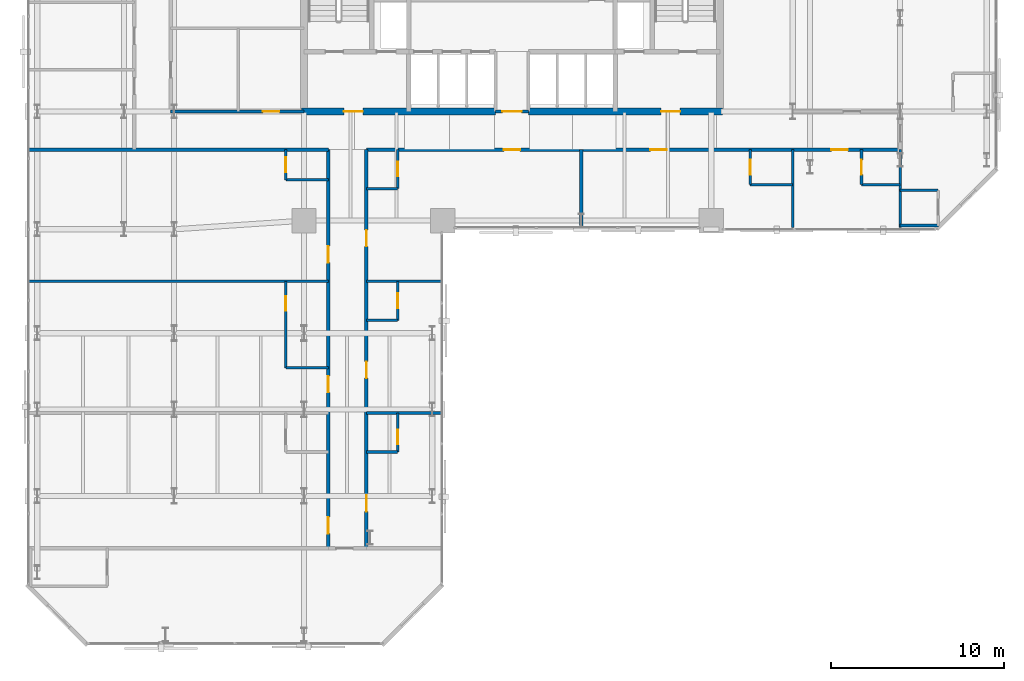
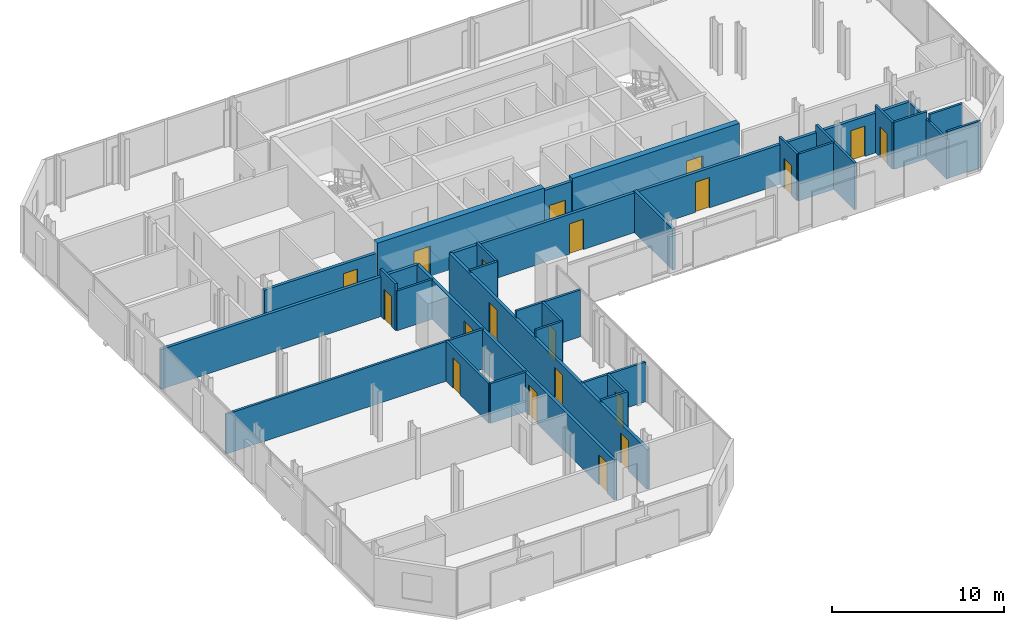
# One storey, part 29 of 33: 30 walls, 20 doors, 20 openings.
"""IFC4 building model written with IfcOpenShell, lengths in metres."""

from ifc_helpers import new_model, si_unit, direction, frame, frame_2d, origin, place, context, subcontext, project, spatial, rectangle, extrude, material, layer, layer_set, type_object, element, fill, save


model = new_model("IFC4")

# Units and contexts
model_context = context("Model", 3, precision=1e-05, world=origin(), true_north=direction((0.0, 1.0)))
body_context = subcontext(model_context, "Body", "Model", "MODEL_VIEW")
ifc_project = project(units=[si_unit("LENGTHUNIT", "METRE"), si_unit("AREAUNIT", "SQUARE_METRE"), si_unit("VOLUMEUNIT", "CUBIC_METRE"), si_unit("PLANEANGLEUNIT", "RADIAN"), si_unit("MASSUNIT", "GRAM", prefix="KILO")], contexts=[model_context])

# Site, building, storey
site_placement = place(None, origin())
site = spatial("IfcSite", under=ifc_project, at=site_placement, CompositionType="ELEMENT")
building_placement = place(site_placement, origin())
building = spatial("IfcBuilding", under=site, at=building_placement, Name="Catumbela Crestline Tower", CompositionType="ELEMENT")
storey_placement = place(building_placement, frame((0.0, 0.0, 43.8)))
storey = spatial("IfcBuildingStorey", under=building, at=storey_placement, Name="L10", CompositionType="ELEMENT", Elevation=43.8)

# Wall, opening, door
ifc_material_1 = material(Name="Concrete C60/75", Category="concrete")
ifc_layer_1 = layer(ifc_material_1, 0.4, Name="Concrete C60/75")
ifc_layer_set_1 = layer_set([ifc_layer_1], Name="Concrete C60/75")
wall_type_1 = type_object("IfcWallType", Name="CW-400A", PredefinedType="SHEAR", material=ifc_layer_set_1)
wall_1_placement = place(storey_placement, frame((15.85, 30.8, 0.0), z_axis=(0.0, 0.0, 1.0), x_axis=(1.0, 0.0, 0.0)))
wall_1 = element("IfcWall", 1, at=wall_1_placement, inside=storey, type_object=wall_type_1, Name="L10 Structural Core Shear Wall SW", PredefinedType="SHEAR", context=body_context, shape_type="SweptSolid", body=[
    extrude(rectangle(XDim=11.2, YDim=0.4, at=frame_2d((5.6, 0.0))), origin(), (0.0, 0.0, 1.0), 3.6),
])
opening_1_placement = place(wall_1_placement, frame((2.45, 0.0, 0.0)))
opening_1 = element("IfcOpeningElement", 2, at=opening_1_placement, cuts=wall_1, Name="Opening DF9-110", PredefinedType="OPENING", context=body_context, shape_type="SweptSolid", body=[
    extrude(rectangle(XDim=1.1, YDim=2.15, at=frame_2d((0.55, 1.075))), frame((0.0, 0.21, 0.0), z_axis=(0.0, -1.0, 0.0), x_axis=(1.0, 0.0, 0.0)), (0.0, 0.0, 1.0), 0.42),
])
ifc_material_2 = material(Name="Stainless steel EN 1.4401", Category="steel")
door_type_1 = type_object("IfcDoorType", Name="DF9-110", OperationType="NOTDEFINED", PredefinedType="DOOR", material=ifc_material_2)
door_1_placement = place(opening_1_placement, origin())
door_1 = element("IfcDoor", 3, at=door_1_placement, inside=storey, type_object=door_type_1, Name="L10 Interior Door DR-L10-FFW-S", OperationType="SINGLE_SWING_LEFT", OverallHeight=2.15, OverallWidth=1.1, PredefinedType="DOOR", context=body_context, shape_type="SweptSolid", body=[
    extrude(rectangle(XDim=1.1, YDim=2.15, at=frame_2d((0.55, 1.075))), frame((0.0, 0.025, 0.0), z_axis=(0.0, -1.0, 0.0), x_axis=(1.0, 0.0, 0.0)), (0.0, 0.0, 1.0), 0.05),
])
fill(opening_1, door_1)

wall_2_placement = place(storey_placement, frame((28.95, 30.8, 0.0), z_axis=(0.0, 0.0, 1.0), x_axis=(1.0, 0.0, 0.0)))
wall_2 = element("IfcWall", 4, at=wall_2_placement, inside=storey, type_object=wall_type_1, Name="L10 Structural Core Shear Wall SE", PredefinedType="SHEAR", context=body_context, shape_type="SweptSolid", body=[
    extrude(rectangle(XDim=11.2, YDim=0.4, at=frame_2d((5.6, 0.0))), origin(), (0.0, 0.0, 1.0), 3.6),
])
opening_2_placement = place(wall_2_placement, frame((7.65, 0.0, 0.0)))
opening_2 = element("IfcOpeningElement", 5, at=opening_2_placement, cuts=wall_2, Name="Opening DF9-110", PredefinedType="OPENING", context=body_context, shape_type="SweptSolid", body=[
    extrude(rectangle(XDim=1.1, YDim=2.15, at=frame_2d((0.55, 1.075))), frame((0.0, 0.21, 0.0), z_axis=(0.0, -1.0, 0.0), x_axis=(1.0, 0.0, 0.0)), (0.0, 0.0, 1.0), 0.42),
])
door_2_placement = place(opening_2_placement, origin())
door_2 = element("IfcDoor", 6, at=door_2_placement, inside=storey, type_object=door_type_1, Name="L10 Interior Door DR-L10-FFE-S", OperationType="SINGLE_SWING_RIGHT", OverallHeight=2.15, OverallWidth=1.1, PredefinedType="DOOR", context=body_context, shape_type="SweptSolid", body=[
    extrude(rectangle(XDim=1.1, YDim=2.15, at=frame_2d((0.55, 1.075))), frame((0.0, 0.025, 0.0), z_axis=(0.0, -1.0, 0.0), x_axis=(1.0, 0.0, 0.0)), (0.0, 0.0, 1.0), 0.05),
])
fill(opening_2, door_2)

ifc_material_3 = material(Name="Acoustic gypsum and mineral-wool partition")
ifc_layer_2 = layer(ifc_material_3, 0.2, Name="Acoustic gypsum and mineral-wool partition")
ifc_layer_set_2 = layer_set([ifc_layer_2], Name="Acoustic gypsum and mineral-wool partition")
wall_type_2 = type_object("IfcWallType", Name="WC-200", PredefinedType="PARTITIONING", material=ifc_layer_set_2)
wall_3_placement = place(storey_placement, frame((27.05, 30.8, 0.0), z_axis=(0.0, 0.0, 1.0), x_axis=(1.0, 0.0, 0.0)))
wall_3 = element("IfcWall", 7, at=wall_3_placement, inside=storey, type_object=wall_type_2, Name="L10 Interior Partition PW-L10-CLOBS", PredefinedType="PARTITIONING", context=body_context, shape_type="SweptSolid", body=[
    extrude(rectangle(XDim=1.9, YDim=0.2, at=frame_2d((0.95, 0.0))), origin(), (0.0, 0.0, 1.0), 3.33),
])
opening_3_placement = place(wall_3_placement, frame((0.4, 0.0, 0.0)))
opening_3 = element("IfcOpeningElement", 8, at=opening_3_placement, cuts=wall_3, Name="Opening DF9-110", PredefinedType="OPENING", context=body_context, shape_type="SweptSolid", body=[
    extrude(rectangle(XDim=1.1, YDim=2.15, at=frame_2d((0.55, 1.075))), frame((0.0, 0.11, 0.0), z_axis=(0.0, -1.0, 0.0), x_axis=(1.0, 0.0, 0.0)), (0.0, 0.0, 1.0), 0.22),
])
door_3_placement = place(opening_3_placement, origin())
door_3 = element("IfcDoor", 9, at=door_3_placement, inside=storey, type_object=door_type_1, Name="L10 Interior Door DR-L10-CLOBS", OperationType="SINGLE_SWING_LEFT", OverallHeight=2.15, OverallWidth=1.1, PredefinedType="DOOR", context=body_context, shape_type="SweptSolid", body=[
    extrude(rectangle(XDim=1.1, YDim=2.15, at=frame_2d((0.55, 1.075))), frame((0.0, 0.025, 0.0), z_axis=(0.0, -1.0, 0.0), x_axis=(1.0, 0.0, 0.0)), (0.0, 0.0, 1.0), 0.05),
])
fill(opening_3, door_3)

# Wall
wall_4_placement = place(storey_placement, frame((0.1, 28.6, 0.0), z_axis=(0.0, 0.0, 1.0), x_axis=(1.0, 0.0, 0.0)))
element("IfcWall", 10, at=wall_4_placement, inside=storey, type_object=wall_type_2, Name="L10 Interior Partition PW-L10-CWGL-N", PredefinedType="PARTITIONING", context=body_context, shape_type="SweptSolid", body=[
    extrude(rectangle(XDim=17.3, YDim=0.2, at=frame_2d((8.65, 0.0))), origin(), (0.0, 0.0, 1.0), 2.82),
])

# Wall, openings, doors
wall_5_placement = place(storey_placement, frame((19.6, 28.6, 0.0), z_axis=(0.0, 0.0, 1.0), x_axis=(1.0, 0.0, 0.0)))
wall_5 = element("IfcWall", 11, at=wall_5_placement, inside=storey, type_object=wall_type_2, Name="L10 Interior Partition PW-L10-CWGR-N", PredefinedType="PARTITIONING", context=body_context, shape_type="SweptSolid", body=[
    extrude(rectangle(XDim=30.8, YDim=0.2, at=frame_2d((15.4, 0.0))), origin(), (0.0, 0.0, 1.0), 2.82),
])
opening_4_placement = place(wall_5_placement, frame((7.925, 0.0, 0.0)))
opening_4 = element("IfcOpeningElement", 12, at=opening_4_placement, cuts=wall_5, Name="Opening DF6-095", PredefinedType="OPENING", context=body_context, shape_type="SweptSolid", body=[
    extrude(rectangle(XDim=0.95, YDim=2.15, at=frame_2d((0.475, 1.075))), frame((0.0, 0.11, 0.0), z_axis=(0.0, -1.0, 0.0), x_axis=(1.0, 0.0, 0.0)), (0.0, 0.0, 1.0), 0.22),
])
opening_5_placement = place(wall_5_placement, frame((16.39, 0.0, 0.0)))
opening_5 = element("IfcOpeningElement", 13, at=opening_5_placement, cuts=wall_5, Name="Opening DF6-095", PredefinedType="OPENING", context=body_context, shape_type="SweptSolid", body=[
    extrude(rectangle(XDim=0.95, YDim=2.15, at=frame_2d((0.475, 1.075))), frame((0.0, 0.11, 0.0), z_axis=(0.0, -1.0, 0.0), x_axis=(1.0, 0.0, 0.0)), (0.0, 0.0, 1.0), 0.22),
])
opening_6_placement = place(wall_5_placement, frame((26.8354, 0.0, 0.0)))
opening_6 = element("IfcOpeningElement", 14, at=opening_6_placement, cuts=wall_5, Name="Opening DF6-095", PredefinedType="OPENING", context=body_context, shape_type="SweptSolid", body=[
    extrude(rectangle(XDim=0.95, YDim=2.15, at=frame_2d((0.475, 1.075))), frame((0.0, 0.11, 0.0), z_axis=(0.0, -1.0, 0.0), x_axis=(1.0, 0.0, 0.0)), (0.0, 0.0, 1.0), 0.22),
])
ifc_material_4 = material(Name="Aluminium alloy AW-6060-T66", Category="aluminium")
door_type_2 = type_object("IfcDoorType", Name="DF6-095", OperationType="NOTDEFINED", PredefinedType="DOOR", material=ifc_material_4)
door_4_placement = place(opening_4_placement, origin())
door_4 = element("IfcDoor", 15, at=door_4_placement, inside=storey, type_object=door_type_2, Name="L10 Interior Door DR-L10-CLBL-ENT", OperationType="SINGLE_SWING_RIGHT", OverallHeight=2.15, OverallWidth=0.95, PredefinedType="DOOR", context=body_context, shape_type="SweptSolid", body=[
    extrude(rectangle(XDim=0.95, YDim=2.15, at=frame_2d((0.475, 1.075))), frame((0.0, 0.025, 0.0), z_axis=(0.0, -1.0, 0.0), x_axis=(1.0, 0.0, 0.0)), (0.0, 0.0, 1.0), 0.05),
])
fill(opening_4, door_4)
door_5_placement = place(opening_5_placement, origin())
door_5 = element("IfcDoor", 16, at=door_5_placement, inside=storey, type_object=door_type_2, Name="L10 Interior Door DR-L10-K2-ENT", OperationType="SINGLE_SWING_RIGHT", OverallHeight=2.15, OverallWidth=0.95, PredefinedType="DOOR", context=body_context, shape_type="SweptSolid", body=[
    extrude(rectangle(XDim=0.95, YDim=2.15, at=frame_2d((0.475, 1.075))), frame((0.0, 0.025, 0.0), z_axis=(0.0, -1.0, 0.0), x_axis=(1.0, 0.0, 0.0)), (0.0, 0.0, 1.0), 0.05),
])
fill(opening_5, door_5)
door_6_placement = place(opening_6_placement, origin())
door_6 = element("IfcDoor", 17, at=door_6_placement, inside=storey, type_object=door_type_2, Name="L10 Interior Door DR-L10-K3-ENT", OperationType="SINGLE_SWING_LEFT", OverallHeight=2.15, OverallWidth=0.95, PredefinedType="DOOR", context=body_context, shape_type="SweptSolid", body=[
    extrude(rectangle(XDim=0.95, YDim=2.15, at=frame_2d((0.475, 1.075))), frame((0.0, 0.025, 0.0), z_axis=(0.0, -1.0, 0.0), x_axis=(1.0, 0.0, 0.0)), (0.0, 0.0, 1.0), 0.05),
])
fill(opening_6, door_6)

# Wall, opening, door
wall_6_placement = place(storey_placement, frame((8.3, 30.8, 0.0), z_axis=(0.0, 0.0, 1.0), x_axis=(1.0, 0.0, 0.0)))
wall_6 = element("IfcWall", 18, at=wall_6_placement, inside=storey, type_object=wall_type_2, Name="L10 Interior Partition PW-L10-HK-S", PredefinedType="PARTITIONING", context=body_context, shape_type="SweptSolid", body=[
    extrude(rectangle(XDim=7.7, YDim=0.2, at=frame_2d((3.85, 0.0))), origin(), (0.0, 0.0, 1.0), 2.82),
])
opening_7_placement = place(wall_6_placement, frame((5.325, 0.0, 0.0)))
opening_7 = element("IfcOpeningElement", 19, at=opening_7_placement, cuts=wall_6, Name="Opening DF6-095", PredefinedType="OPENING", context=body_context, shape_type="SweptSolid", body=[
    extrude(rectangle(XDim=0.95, YDim=2.15, at=frame_2d((0.475, 1.075))), frame((0.0, 0.11, 0.0), z_axis=(0.0, -1.0, 0.0), x_axis=(1.0, 0.0, 0.0)), (0.0, 0.0, 1.0), 0.22),
])
door_7_placement = place(opening_7_placement, origin())
door_7 = element("IfcDoor", 20, at=door_7_placement, inside=storey, type_object=door_type_2, Name="L10 Interior Door DR-L10-HKP", OperationType="SINGLE_SWING_LEFT", OverallHeight=2.15, OverallWidth=0.95, PredefinedType="DOOR", context=body_context, shape_type="SweptSolid", body=[
    extrude(rectangle(XDim=0.95, YDim=2.15, at=frame_2d((0.475, 1.075))), frame((0.0, 0.025, 0.0), z_axis=(0.0, -1.0, 0.0), x_axis=(1.0, 0.0, 0.0)), (0.0, 0.0, 1.0), 0.05),
])
fill(opening_7, door_7)

# Wall, openings, doors
wall_7_placement = place(storey_placement, frame((17.4, 5.6, 0.0), z_axis=(0.0, 0.0, 1.0), x_axis=(0.0, 1.0, 0.0)))
wall_7 = element("IfcWall", 21, at=wall_7_placement, inside=storey, type_object=wall_type_2, Name="L10 Interior Partition PW-L10-WL1-ENT", PredefinedType="PARTITIONING", context=body_context, shape_type="SweptSolid", body=[
    extrude(rectangle(XDim=23.0, YDim=0.2, at=frame_2d((11.5, 0.0))), origin(), (0.0, 0.0, 1.0), 2.82),
])
opening_8_placement = place(wall_7_placement, frame((0.84, 0.0, 0.0)))
opening_8 = element("IfcOpeningElement", 22, at=opening_8_placement, cuts=wall_7, Name="Opening DF6-095", PredefinedType="OPENING", context=body_context, shape_type="SweptSolid", body=[
    extrude(rectangle(XDim=0.95, YDim=2.15, at=frame_2d((0.475, 1.075))), frame((0.0, 0.11, 0.0), z_axis=(0.0, -1.0, 0.0), x_axis=(1.0, 0.0, 0.0)), (0.0, 0.0, 1.0), 0.22),
])
opening_9_placement = place(wall_7_placement, frame((8.9831, 0.0, 0.0)))
opening_9 = element("IfcOpeningElement", 23, at=opening_9_placement, cuts=wall_7, Name="Opening DF6-095", PredefinedType="OPENING", context=body_context, shape_type="SweptSolid", body=[
    extrude(rectangle(XDim=0.95, YDim=2.15, at=frame_2d((0.475, 1.075))), frame((0.0, 0.11, 0.0), z_axis=(0.0, -1.0, 0.0), x_axis=(1.0, 0.0, 0.0)), (0.0, 0.0, 1.0), 0.22),
])
opening_10_placement = place(wall_7_placement, frame((16.476, 0.0, 0.0)))
opening_10 = element("IfcOpeningElement", 24, at=opening_10_placement, cuts=wall_7, Name="Opening DF6-095", PredefinedType="OPENING", context=body_context, shape_type="SweptSolid", body=[
    extrude(rectangle(XDim=0.95, YDim=2.15, at=frame_2d((0.475, 1.075))), frame((0.0, 0.11, 0.0), z_axis=(0.0, -1.0, 0.0), x_axis=(1.0, 0.0, 0.0)), (0.0, 0.0, 1.0), 0.22),
])
door_8_placement = place(opening_8_placement, origin())
door_8 = element("IfcDoor", 25, at=door_8_placement, inside=storey, type_object=door_type_2, Name="L10 Interior Door DR-L10-WL1-ENT", OperationType="SINGLE_SWING_LEFT", OverallHeight=2.15, OverallWidth=0.95, PredefinedType="DOOR", context=body_context, shape_type="SweptSolid", body=[
    extrude(rectangle(XDim=0.95, YDim=2.15, at=frame_2d((0.475, 1.075))), frame((0.0, 0.025, 0.0), z_axis=(0.0, -1.0, 0.0), x_axis=(1.0, 0.0, 0.0)), (0.0, 0.0, 1.0), 0.05),
])
fill(opening_8, door_8)
door_9_placement = place(opening_9_placement, origin())
door_9 = element("IfcDoor", 26, at=door_9_placement, inside=storey, type_object=door_type_2, Name="L10 Interior Door DR-L10-WL2-ENT", OperationType="SINGLE_SWING_RIGHT", OverallHeight=2.15, OverallWidth=0.95, PredefinedType="DOOR", context=body_context, shape_type="SweptSolid", body=[
    extrude(rectangle(XDim=0.95, YDim=2.15, at=frame_2d((0.475, 1.075))), frame((0.0, 0.025, 0.0), z_axis=(0.0, -1.0, 0.0), x_axis=(1.0, 0.0, 0.0)), (0.0, 0.0, 1.0), 0.05),
])
fill(opening_9, door_9)
door_10_placement = place(opening_10_placement, origin())
door_10 = element("IfcDoor", 27, at=door_10_placement, inside=storey, type_object=door_type_2, Name="L10 Interior Door DR-L10-WL3-ENT", OperationType="SINGLE_SWING_LEFT", OverallHeight=2.15, OverallWidth=0.95, PredefinedType="DOOR", context=body_context, shape_type="SweptSolid", body=[
    extrude(rectangle(XDim=0.95, YDim=2.15, at=frame_2d((0.475, 1.075))), frame((0.0, 0.025, 0.0), z_axis=(0.0, -1.0, 0.0), x_axis=(1.0, 0.0, 0.0)), (0.0, 0.0, 1.0), 0.05),
])
fill(opening_10, door_10)

wall_8_placement = place(storey_placement, frame((19.6, 5.6, 0.0), z_axis=(0.0, 0.0, 1.0), x_axis=(0.0, 1.0, 0.0)))
wall_8 = element("IfcWall", 28, at=wall_8_placement, inside=storey, type_object=wall_type_2, Name="L10 Interior Partition PW-L10-WR1-ENT", PredefinedType="PARTITIONING", context=body_context, shape_type="SweptSolid", body=[
    extrude(rectangle(XDim=23.0, YDim=0.2, at=frame_2d((11.5, 0.0))), origin(), (0.0, 0.0, 1.0), 2.82),
])
opening_11_placement = place(wall_8_placement, frame((2.1, 0.0, 0.0)))
opening_11 = element("IfcOpeningElement", 29, at=opening_11_placement, cuts=wall_8, Name="Opening DF6-095", PredefinedType="OPENING", context=body_context, shape_type="SweptSolid", body=[
    extrude(rectangle(XDim=0.95, YDim=2.15, at=frame_2d((0.475, 1.075))), frame((0.0, 0.11, 0.0), z_axis=(0.0, -1.0, 0.0), x_axis=(1.0, 0.0, 0.0)), (0.0, 0.0, 1.0), 0.22),
])
opening_12_placement = place(wall_8_placement, frame((9.81, 0.0, 0.0)))
opening_12 = element("IfcOpeningElement", 30, at=opening_12_placement, cuts=wall_8, Name="Opening DF6-095", PredefinedType="OPENING", context=body_context, shape_type="SweptSolid", body=[
    extrude(rectangle(XDim=0.95, YDim=2.15, at=frame_2d((0.475, 1.075))), frame((0.0, 0.11, 0.0), z_axis=(0.0, -1.0, 0.0), x_axis=(1.0, 0.0, 0.0)), (0.0, 0.0, 1.0), 0.22),
])
opening_13_placement = place(wall_8_placement, frame((17.41, 0.0, 0.0)))
opening_13 = element("IfcOpeningElement", 31, at=opening_13_placement, cuts=wall_8, Name="Opening DF6-095", PredefinedType="OPENING", context=body_context, shape_type="SweptSolid", body=[
    extrude(rectangle(XDim=0.95, YDim=2.15, at=frame_2d((0.475, 1.075))), frame((0.0, 0.11, 0.0), z_axis=(0.0, -1.0, 0.0), x_axis=(1.0, 0.0, 0.0)), (0.0, 0.0, 1.0), 0.22),
])
door_11_placement = place(opening_11_placement, origin())
door_11 = element("IfcDoor", 32, at=door_11_placement, inside=storey, type_object=door_type_2, Name="L10 Interior Door DR-L10-WR1-ENT", OperationType="SINGLE_SWING_LEFT", OverallHeight=2.15, OverallWidth=0.95, PredefinedType="DOOR", context=body_context, shape_type="SweptSolid", body=[
    extrude(rectangle(XDim=0.95, YDim=2.15, at=frame_2d((0.475, 1.075))), frame((0.0, 0.025, 0.0), z_axis=(0.0, -1.0, 0.0), x_axis=(1.0, 0.0, 0.0)), (0.0, 0.0, 1.0), 0.05),
])
fill(opening_11, door_11)
door_12_placement = place(opening_12_placement, origin())
door_12 = element("IfcDoor", 33, at=door_12_placement, inside=storey, type_object=door_type_2, Name="L10 Interior Door DR-L10-WR2-ENT", OperationType="SINGLE_SWING_RIGHT", OverallHeight=2.15, OverallWidth=0.95, PredefinedType="DOOR", context=body_context, shape_type="SweptSolid", body=[
    extrude(rectangle(XDim=0.95, YDim=2.15, at=frame_2d((0.475, 1.075))), frame((0.0, 0.025, 0.0), z_axis=(0.0, -1.0, 0.0), x_axis=(1.0, 0.0, 0.0)), (0.0, 0.0, 1.0), 0.05),
])
fill(opening_12, door_12)
door_13_placement = place(opening_13_placement, origin())
door_13 = element("IfcDoor", 34, at=door_13_placement, inside=storey, type_object=door_type_2, Name="L10 Interior Door DR-L10-WR3-ENT", OperationType="SINGLE_SWING_LEFT", OverallHeight=2.15, OverallWidth=0.95, PredefinedType="DOOR", context=body_context, shape_type="SweptSolid", body=[
    extrude(rectangle(XDim=0.95, YDim=2.15, at=frame_2d((0.475, 1.075))), frame((0.0, 0.025, 0.0), z_axis=(0.0, -1.0, 0.0), x_axis=(1.0, 0.0, 0.0)), (0.0, 0.0, 1.0), 0.05),
])
fill(opening_13, door_13)

# Wall
ifc_layer_3 = layer(ifc_material_3, 0.15, Name="Acoustic gypsum and mineral-wool partition")
ifc_layer_set_3 = layer_set([ifc_layer_3], Name="Acoustic gypsum and mineral-wool partition")
wall_type_3 = type_object("IfcWallType", Name="WP-150", PredefinedType="PARTITIONING", material=ifc_layer_set_3)
wall_9_placement = place(storey_placement, frame((41.75, 26.576, 0.0), z_axis=(0.0, 0.0, 1.0), x_axis=(1.0, 0.0, 0.0)))
element("IfcWall", 35, at=wall_9_placement, inside=storey, type_object=wall_type_3, Name="L10 Interior Partition PW-L10-K2-BHW", PredefinedType="PARTITIONING", context=body_context, shape_type="SweptSolid", body=[
    extrude(rectangle(XDim=2.45, YDim=0.15, at=frame_2d((1.225, 0.0))), origin(), (0.0, 0.0, 1.0), 3.33),
])

# Wall, opening, door
wall_10_placement = place(storey_placement, frame((41.75, 26.576, 0.0), z_axis=(0.0, 0.0, 1.0), x_axis=(0.0, 1.0, 0.0)))
wall_10 = element("IfcWall", 36, at=wall_10_placement, inside=storey, type_object=wall_type_3, Name="L10 Interior Partition PW-L10-K2-BWW", PredefinedType="PARTITIONING", context=body_context, shape_type="SweptSolid", body=[
    extrude(rectangle(XDim=2.024, YDim=0.15, at=frame_2d((1.012, 0.0))), origin(), (0.0, 0.0, 1.0), 3.33),
])
opening_14_placement = place(wall_10_placement, frame((0.587, 0.0, 0.0)))
opening_14 = element("IfcOpeningElement", 37, at=opening_14_placement, cuts=wall_10, Name="Opening DI-085", PredefinedType="OPENING", context=body_context, shape_type="SweptSolid", body=[
    extrude(rectangle(XDim=0.85, YDim=2.15, at=frame_2d((0.425, 1.075))), frame((0.0, 0.085, 0.0), z_axis=(0.0, -1.0, 0.0), x_axis=(1.0, 0.0, 0.0)), (0.0, 0.0, 1.0), 0.17),
])
door_type_3 = type_object("IfcDoorType", Name="DI-085", OperationType="NOTDEFINED", PredefinedType="DOOR", material=ifc_material_4)
door_14_placement = place(opening_14_placement, origin())
door_14 = element("IfcDoor", 38, at=door_14_placement, inside=storey, type_object=door_type_3, Name="L10 Interior Door DR-L10-K2-BTH", OperationType="SINGLE_SWING_RIGHT", OverallHeight=2.15, OverallWidth=0.85, PredefinedType="DOOR", context=body_context, shape_type="SweptSolid", body=[
    extrude(rectangle(XDim=0.85, YDim=2.15, at=frame_2d((0.425, 1.075))), frame((0.0, 0.025, 0.0), z_axis=(0.0, -1.0, 0.0), x_axis=(1.0, 0.0, 0.0)), (0.0, 0.0, 1.0), 0.05),
])
fill(opening_14, door_14)

# Walls
wall_11_placement = place(storey_placement, frame((44.2, 28.6, 0.0), z_axis=(0.0, 0.0, 1.0), x_axis=(0.0, -1.0, 0.0)))
element("IfcWall", 39, at=wall_11_placement, inside=storey, type_object=wall_type_3, Name="L10 Interior Partition PW-L10-K2-BCL-2", PredefinedType="PARTITIONING", context=body_context, shape_type="SweptSolid", body=[
    extrude(rectangle(XDim=4.5, YDim=0.15, at=frame_2d((2.25, 0.0))), origin(), (0.0, 0.0, 1.0), 3.33),
])
wall_12_placement = place(storey_placement, frame((48.168, 26.576, 0.0), z_axis=(0.0, 0.0, 1.0), x_axis=(1.0, 0.0, 0.0)))
element("IfcWall", 40, at=wall_12_placement, inside=storey, type_object=wall_type_3, Name="L10 Interior Partition PW-L10-K3-BHW", PredefinedType="PARTITIONING", context=body_context, shape_type="SweptSolid", body=[
    extrude(rectangle(XDim=2.232, YDim=0.15, at=frame_2d((1.116, 0.0))), origin(), (0.0, 0.0, 1.0), 3.33),
])

# Wall, opening, door
wall_13_placement = place(storey_placement, frame((48.168, 26.576, 0.0), z_axis=(0.0, 0.0, 1.0), x_axis=(0.0, 1.0, 0.0)))
wall_13 = element("IfcWall", 41, at=wall_13_placement, inside=storey, type_object=wall_type_3, Name="L10 Interior Partition PW-L10-K3-BWW", PredefinedType="PARTITIONING", context=body_context, shape_type="SweptSolid", body=[
    extrude(rectangle(XDim=2.024, YDim=0.15, at=frame_2d((1.012, 0.0))), origin(), (0.0, 0.0, 1.0), 3.33),
])
opening_15_placement = place(wall_13_placement, frame((0.587, 0.0, 0.0)))
opening_15 = element("IfcOpeningElement", 42, at=opening_15_placement, cuts=wall_13, Name="Opening DI-085", PredefinedType="OPENING", context=body_context, shape_type="SweptSolid", body=[
    extrude(rectangle(XDim=0.85, YDim=2.15, at=frame_2d((0.425, 1.075))), frame((0.0, 0.085, 0.0), z_axis=(0.0, -1.0, 0.0), x_axis=(1.0, 0.0, 0.0)), (0.0, 0.0, 1.0), 0.17),
])
door_15_placement = place(opening_15_placement, origin())
door_15 = element("IfcDoor", 43, at=door_15_placement, inside=storey, type_object=door_type_3, Name="L10 Interior Door DR-L10-K3-BTH", OperationType="SINGLE_SWING_RIGHT", OverallHeight=2.15, OverallWidth=0.85, PredefinedType="DOOR", context=body_context, shape_type="SweptSolid", body=[
    extrude(rectangle(XDim=0.85, YDim=2.15, at=frame_2d((0.425, 1.075))), frame((0.0, 0.025, 0.0), z_axis=(0.0, -1.0, 0.0), x_axis=(1.0, 0.0, 0.0)), (0.0, 0.0, 1.0), 0.05),
])
fill(opening_15, door_15)

# Walls
wall_14_placement = place(storey_placement, frame((50.4, 28.6, 0.0), z_axis=(0.0, 0.0, 1.0), x_axis=(0.0, -1.0, 0.0)))
element("IfcWall", 44, at=wall_14_placement, inside=storey, type_object=wall_type_3, Name="L10 Interior Partition PW-L10-K3-BCL-2", PredefinedType="PARTITIONING", context=body_context, shape_type="SweptSolid", body=[
    extrude(rectangle(XDim=4.5, YDim=0.15, at=frame_2d((2.25, 0.0))), origin(), (0.0, 0.0, 1.0), 2.82),
])
wall_15_placement = place(storey_placement, frame((50.4, 26.25, 0.0), z_axis=(0.0, 0.0, 1.0), x_axis=(1.0, 0.0, 0.0)))
element("IfcWall", 45, at=wall_15_placement, inside=storey, type_object=wall_type_3, Name="L10 Interior Partition PW-L10-NESE-BNW", PredefinedType="PARTITIONING", context=body_context, shape_type="SweptSolid", body=[
    extrude(rectangle(XDim=2.2, YDim=0.15, at=frame_2d((1.1, 0.0))), origin(), (0.0, 0.0, 1.0), 3.33),
])
wall_16_placement = place(storey_placement, frame((52.62, 24.22, 0.0), z_axis=(0.0, 0.0, 1.0), x_axis=(-1.0, 0.0, 0.0)))
element("IfcWall", 46, at=wall_16_placement, inside=storey, type_object=wall_type_3, Name="L10 Interior Partition PW-L10-NESE-BCL-3", PredefinedType="PARTITIONING", context=body_context, shape_type="SweptSolid", body=[
    extrude(rectangle(XDim=2.22, YDim=0.15, at=frame_2d((1.11, 0.0))), origin(), (0.0, 0.0, 1.0), 3.33),
])
wall_17_placement = place(storey_placement, frame((19.6, 11.15, 0.0), z_axis=(0.0, 0.0, 1.0), x_axis=(1.0, 0.0, 0.0)))
element("IfcWall", 47, at=wall_17_placement, inside=storey, type_object=wall_type_3, Name="L10 Interior Partition PW-L10-WR1-BSW", PredefinedType="PARTITIONING", context=body_context, shape_type="SweptSolid", body=[
    extrude(rectangle(XDim=1.8, YDim=0.15, at=frame_2d((0.9, 0.0))), origin(), (0.0, 0.0, 1.0), 2.96),
])

# Wall, opening, door
wall_18_placement = place(storey_placement, frame((21.4, 11.15, 0.0), z_axis=(0.0, 0.0, 1.0), x_axis=(0.0, 1.0, 0.0)))
wall_18 = element("IfcWall", 48, at=wall_18_placement, inside=storey, type_object=wall_type_3, Name="L10 Interior Partition PW-L10-WR1-BEW", PredefinedType="PARTITIONING", context=body_context, shape_type="SweptSolid", body=[
    extrude(rectangle(XDim=2.25, YDim=0.15, at=frame_2d((1.125, 0.0))), origin(), (0.0, 0.0, 1.0), 2.82),
])
opening_16_placement = place(wall_18_placement, frame((0.4444, 0.0, 0.0)))
opening_16 = element("IfcOpeningElement", 49, at=opening_16_placement, cuts=wall_18, Name="Opening DI-085", PredefinedType="OPENING", context=body_context, shape_type="SweptSolid", body=[
    extrude(rectangle(XDim=0.85, YDim=2.15, at=frame_2d((0.425, 1.075))), frame((0.0, 0.085, 0.0), z_axis=(0.0, -1.0, 0.0), x_axis=(1.0, 0.0, 0.0)), (0.0, 0.0, 1.0), 0.17),
])
door_16_placement = place(opening_16_placement, origin())
door_16 = element("IfcDoor", 50, at=door_16_placement, inside=storey, type_object=door_type_3, Name="L10 Interior Door DR-L10-WR1-BTH", OperationType="SINGLE_SWING_LEFT", OverallHeight=2.15, OverallWidth=0.85, PredefinedType="DOOR", context=body_context, shape_type="SweptSolid", body=[
    extrude(rectangle(XDim=0.85, YDim=2.15, at=frame_2d((0.425, 1.075))), frame((0.0, 0.025, 0.0), z_axis=(0.0, -1.0, 0.0), x_axis=(1.0, 0.0, 0.0)), (0.0, 0.0, 1.0), 0.05),
])
fill(opening_16, door_16)

# Walls
wall_19_placement = place(storey_placement, frame((19.6, 13.4, 0.0), z_axis=(0.0, 0.0, 1.0), x_axis=(1.0, 0.0, 0.0)))
element("IfcWall", 51, at=wall_19_placement, inside=storey, type_object=wall_type_3, Name="L10 Interior Partition PW-L10-WR1-BCL-1", PredefinedType="PARTITIONING", context=body_context, shape_type="SweptSolid", body=[
    extrude(rectangle(XDim=4.3, YDim=0.15, at=frame_2d((2.15, 0.0))), origin(), (0.0, 0.0, 1.0), 2.82),
])
wall_20_placement = place(storey_placement, frame((14.95, 16.0, 0.0), z_axis=(0.0, 0.0, 1.0), x_axis=(1.0, 0.0, 0.0)))
element("IfcWall", 52, at=wall_20_placement, inside=storey, type_object=wall_type_3, Name="L10 Interior Partition PW-L10-WL2-BSW", PredefinedType="PARTITIONING", context=body_context, shape_type="SweptSolid", body=[
    extrude(rectangle(XDim=2.45, YDim=0.15, at=frame_2d((1.225, 0.0))), origin(), (0.0, 0.0, 1.0), 2.82),
])

# Wall, opening, door
wall_21_placement = place(storey_placement, frame((14.95, 16.0, 0.0), z_axis=(0.0, 0.0, 1.0), x_axis=(0.0, 1.0, 0.0)))
wall_21 = element("IfcWall", 53, at=wall_21_placement, inside=storey, type_object=wall_type_3, Name="L10 Interior Partition PW-L10-WL2-BWW", PredefinedType="PARTITIONING", context=body_context, shape_type="SweptSolid", body=[
    extrude(rectangle(XDim=5.0, YDim=0.15, at=frame_2d((2.5, 0.0))), origin(), (0.0, 0.0, 1.0), 2.82),
])
opening_17_placement = place(wall_21_placement, frame((3.2983, 0.0, 0.0)))
opening_17 = element("IfcOpeningElement", 54, at=opening_17_placement, cuts=wall_21, Name="Opening DI-085", PredefinedType="OPENING", context=body_context, shape_type="SweptSolid", body=[
    extrude(rectangle(XDim=0.85, YDim=2.15, at=frame_2d((0.425, 1.075))), frame((0.0, 0.085, 0.0), z_axis=(0.0, -1.0, 0.0), x_axis=(1.0, 0.0, 0.0)), (0.0, 0.0, 1.0), 0.17),
])
door_17_placement = place(opening_17_placement, origin())
door_17 = element("IfcDoor", 55, at=door_17_placement, inside=storey, type_object=door_type_3, Name="L10 Interior Door DR-L10-WL2-BTH", OperationType="SINGLE_SWING_RIGHT", OverallHeight=2.15, OverallWidth=0.85, PredefinedType="DOOR", context=body_context, shape_type="SweptSolid", body=[
    extrude(rectangle(XDim=0.85, YDim=2.15, at=frame_2d((0.425, 1.075))), frame((0.0, 0.025, 0.0), z_axis=(0.0, -1.0, 0.0), x_axis=(1.0, 0.0, 0.0)), (0.0, 0.0, 1.0), 0.05),
])
fill(opening_17, door_17)

# Walls
wall_22_placement = place(storey_placement, frame((0.1, 21.0, 0.0), z_axis=(0.0, 0.0, 1.0), x_axis=(1.0, 0.0, 0.0)))
element("IfcWall", 56, at=wall_22_placement, inside=storey, type_object=wall_type_3, Name="L10 Interior Partition PW-L10-WL2-BCL-1", PredefinedType="PARTITIONING", context=body_context, shape_type="SweptSolid", body=[
    extrude(rectangle(XDim=17.3, YDim=0.15, at=frame_2d((8.65, 0.0))), origin(), (0.0, 0.0, 1.0), 2.82),
])
wall_23_placement = place(storey_placement, frame((19.6, 18.75, 0.0), z_axis=(0.0, 0.0, 1.0), x_axis=(1.0, 0.0, 0.0)))
element("IfcWall", 57, at=wall_23_placement, inside=storey, type_object=wall_type_3, Name="L10 Interior Partition PW-L10-WR2-BSW", PredefinedType="PARTITIONING", context=body_context, shape_type="SweptSolid", body=[
    extrude(rectangle(XDim=1.8, YDim=0.15, at=frame_2d((0.9, 0.0))), origin(), (0.0, 0.0, 1.0), 3.33),
])

# Wall, opening, door
wall_24_placement = place(storey_placement, frame((21.4, 18.75, 0.0), z_axis=(0.0, 0.0, 1.0), x_axis=(0.0, 1.0, 0.0)))
wall_24 = element("IfcWall", 58, at=wall_24_placement, inside=storey, type_object=wall_type_3, Name="L10 Interior Partition PW-L10-WR2-BEW", PredefinedType="PARTITIONING", context=body_context, shape_type="SweptSolid", body=[
    extrude(rectangle(XDim=2.25, YDim=0.15, at=frame_2d((1.125, 0.0))), origin(), (0.0, 0.0, 1.0), 3.33),
])
opening_18_placement = place(wall_24_placement, frame((0.7, 0.0, 0.0)))
opening_18 = element("IfcOpeningElement", 59, at=opening_18_placement, cuts=wall_24, Name="Opening DI-085", PredefinedType="OPENING", context=body_context, shape_type="SweptSolid", body=[
    extrude(rectangle(XDim=0.85, YDim=2.15, at=frame_2d((0.425, 1.075))), frame((0.0, 0.085, 0.0), z_axis=(0.0, -1.0, 0.0), x_axis=(1.0, 0.0, 0.0)), (0.0, 0.0, 1.0), 0.17),
])
door_18_placement = place(opening_18_placement, origin())
door_18 = element("IfcDoor", 60, at=door_18_placement, inside=storey, type_object=door_type_3, Name="L10 Interior Door DR-L10-WR2-BTH", OperationType="SINGLE_SWING_LEFT", OverallHeight=2.15, OverallWidth=0.85, PredefinedType="DOOR", context=body_context, shape_type="SweptSolid", body=[
    extrude(rectangle(XDim=0.85, YDim=2.15, at=frame_2d((0.425, 1.075))), frame((0.0, 0.025, 0.0), z_axis=(0.0, -1.0, 0.0), x_axis=(1.0, 0.0, 0.0)), (0.0, 0.0, 1.0), 0.05),
])
fill(opening_18, door_18)

# Walls
wall_25_placement = place(storey_placement, frame((19.6, 21.0, 0.0), z_axis=(0.0, 0.0, 1.0), x_axis=(1.0, 0.0, 0.0)))
element("IfcWall", 61, at=wall_25_placement, inside=storey, type_object=wall_type_3, Name="L10 Interior Partition PW-L10-WR2-BCL-1", PredefinedType="PARTITIONING", context=body_context, shape_type="SweptSolid", body=[
    extrude(rectangle(XDim=4.3, YDim=0.15, at=frame_2d((2.15, 0.0))), origin(), (0.0, 0.0, 1.0), 3.33),
])
wall_26_placement = place(storey_placement, frame((14.95, 26.85, 0.0), z_axis=(0.0, 0.0, 1.0), x_axis=(1.0, 0.0, 0.0)))
element("IfcWall", 62, at=wall_26_placement, inside=storey, type_object=wall_type_3, Name="L10 Interior Partition PW-L10-WL3-BSW", PredefinedType="PARTITIONING", context=body_context, shape_type="SweptSolid", body=[
    extrude(rectangle(XDim=2.45, YDim=0.15, at=frame_2d((1.225, 0.0))), origin(), (0.0, 0.0, 1.0), 2.82),
])

# Wall, opening, door
wall_27_placement = place(storey_placement, frame((14.95, 26.85, 0.0), z_axis=(0.0, 0.0, 1.0), x_axis=(0.0, 1.0, 0.0)))
wall_27 = element("IfcWall", 63, at=wall_27_placement, inside=storey, type_object=wall_type_3, Name="L10 Interior Partition PW-L10-WL3-BWW", PredefinedType="PARTITIONING", context=body_context, shape_type="SweptSolid", body=[
    extrude(rectangle(XDim=1.75, YDim=0.15, at=frame_2d((0.875, 0.0))), origin(), (0.0, 0.0, 1.0), 3.33),
])
opening_19_placement = place(wall_27_placement, frame((0.45, 0.0, 0.0)))
opening_19 = element("IfcOpeningElement", 64, at=opening_19_placement, cuts=wall_27, Name="Opening DI-085", PredefinedType="OPENING", context=body_context, shape_type="SweptSolid", body=[
    extrude(rectangle(XDim=0.85, YDim=2.15, at=frame_2d((0.425, 1.075))), frame((0.0, 0.085, 0.0), z_axis=(0.0, -1.0, 0.0), x_axis=(1.0, 0.0, 0.0)), (0.0, 0.0, 1.0), 0.17),
])
door_19_placement = place(opening_19_placement, origin())
door_19 = element("IfcDoor", 65, at=door_19_placement, inside=storey, type_object=door_type_3, Name="L10 Interior Door DR-L10-WL3-BTH", OperationType="SINGLE_SWING_RIGHT", OverallHeight=2.15, OverallWidth=0.85, PredefinedType="DOOR", context=body_context, shape_type="SweptSolid", body=[
    extrude(rectangle(XDim=0.85, YDim=2.15, at=frame_2d((0.425, 1.075))), frame((0.0, 0.025, 0.0), z_axis=(0.0, -1.0, 0.0), x_axis=(1.0, 0.0, 0.0)), (0.0, 0.0, 1.0), 0.05),
])
fill(opening_19, door_19)

# Wall
wall_28_placement = place(storey_placement, frame((19.6, 26.35, 0.0), z_axis=(0.0, 0.0, 1.0), x_axis=(1.0, 0.0, 0.0)))
element("IfcWall", 66, at=wall_28_placement, inside=storey, type_object=wall_type_3, Name="L10 Interior Partition PW-L10-WR3-BSW", PredefinedType="PARTITIONING", context=body_context, shape_type="SweptSolid", body=[
    extrude(rectangle(XDim=1.8, YDim=0.15, at=frame_2d((0.9, 0.0))), origin(), (0.0, 0.0, 1.0), 2.96),
])

# Wall, opening, door
wall_29_placement = place(storey_placement, frame((21.4, 26.35, 0.0), z_axis=(0.0, 0.0, 1.0), x_axis=(0.0, 1.0, 0.0)))
wall_29 = element("IfcWall", 67, at=wall_29_placement, inside=storey, type_object=wall_type_3, Name="L10 Interior Partition PW-L10-WR3-BEW", PredefinedType="PARTITIONING", context=body_context, shape_type="SweptSolid", body=[
    extrude(rectangle(XDim=2.25, YDim=0.15, at=frame_2d((1.125, 0.0))), origin(), (0.0, 0.0, 1.0), 2.96),
])
opening_20_placement = place(wall_29_placement, frame((0.7, 0.0, 0.0)))
opening_20 = element("IfcOpeningElement", 68, at=opening_20_placement, cuts=wall_29, Name="Opening DI-085", PredefinedType="OPENING", context=body_context, shape_type="SweptSolid", body=[
    extrude(rectangle(XDim=0.85, YDim=2.15, at=frame_2d((0.425, 1.075))), frame((0.0, 0.085, 0.0), z_axis=(0.0, -1.0, 0.0), x_axis=(1.0, 0.0, 0.0)), (0.0, 0.0, 1.0), 0.17),
])
door_20_placement = place(opening_20_placement, origin())
door_20 = element("IfcDoor", 69, at=door_20_placement, inside=storey, type_object=door_type_3, Name="L10 Interior Door DR-L10-WR3-BTH", OperationType="SINGLE_SWING_LEFT", OverallHeight=2.15, OverallWidth=0.85, PredefinedType="DOOR", context=body_context, shape_type="SweptSolid", body=[
    extrude(rectangle(XDim=0.85, YDim=2.15, at=frame_2d((0.425, 1.075))), frame((0.0, 0.025, 0.0), z_axis=(0.0, -1.0, 0.0), x_axis=(1.0, 0.0, 0.0)), (0.0, 0.0, 1.0), 0.05),
])
fill(opening_20, door_20)

# Wall
ifc_layer_4 = layer(ifc_material_3, 0.2, Name="Acoustic gypsum and mineral-wool partition")
ifc_layer_set_4 = layer_set([ifc_layer_4], Name="Acoustic gypsum and mineral-wool partition")
wall_type_4 = type_object("IfcWallType", Name="WY-200", PredefinedType="PARTITIONING", material=ifc_layer_set_4)
wall_30_placement = place(storey_placement, frame((32.0, 24.1, 0.0), z_axis=(0.0, 0.0, 1.0), x_axis=(0.0, 1.0, 0.0)))
element("IfcWall", 70, at=wall_30_placement, inside=storey, type_object=wall_type_4, Name="L10 Interior Partition PW-L10-SPP-2", PredefinedType="PARTITIONING", context=body_context, shape_type="SweptSolid", body=[
    extrude(rectangle(XDim=4.5, YDim=0.2, at=frame_2d((2.25, 0.0))), origin(), (0.0, 0.0, 1.0), 2.93),
])

save(model, "model.ifc")
